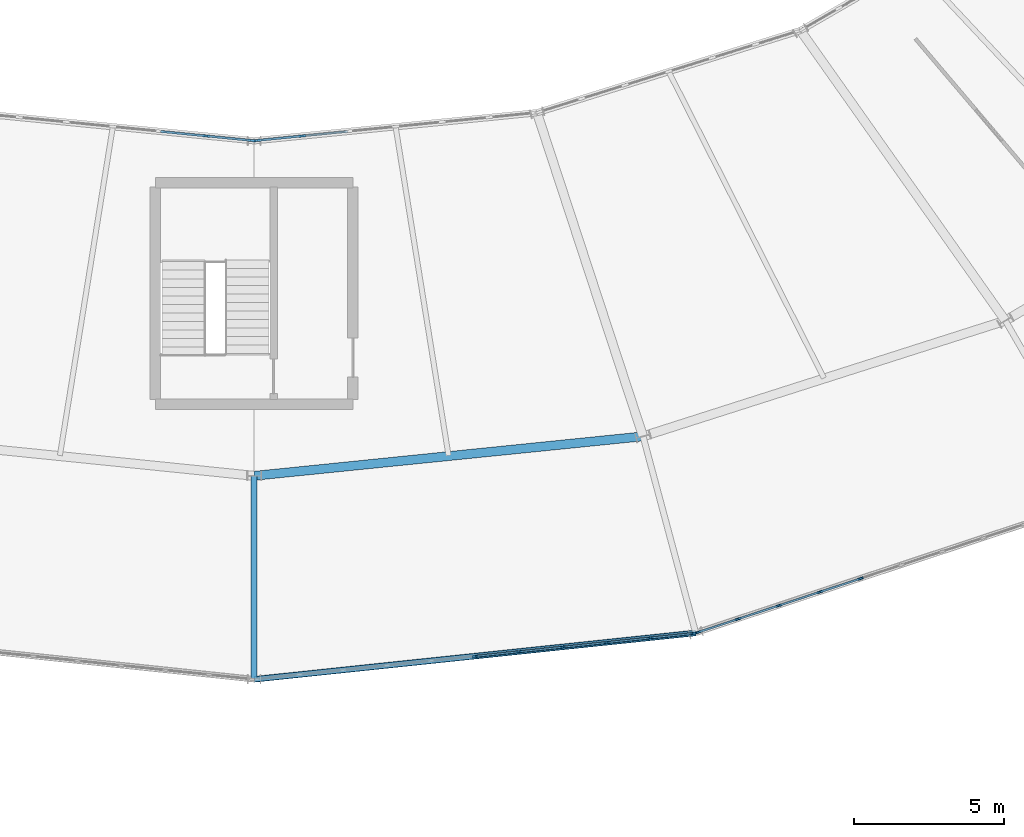
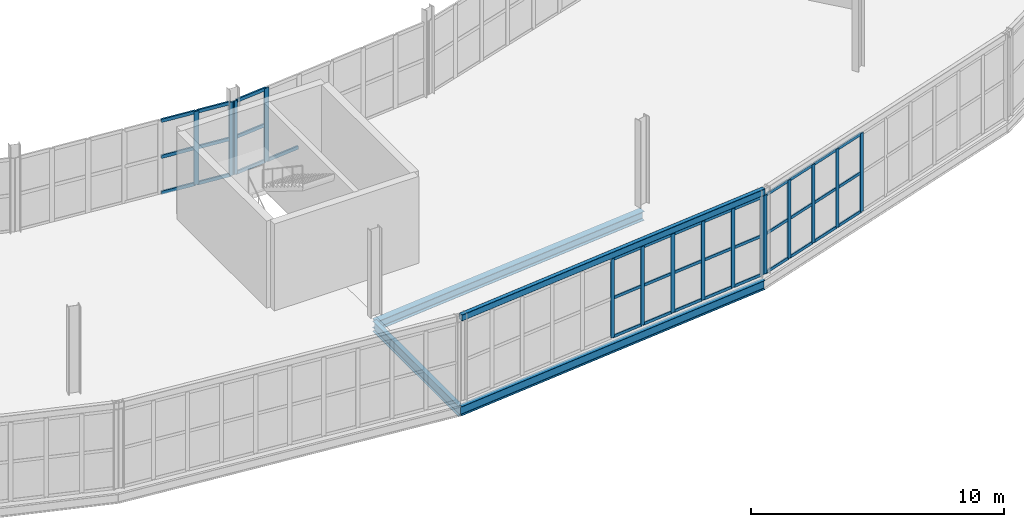
# One storey, part 45 of 161: 52 members, 4 beams, 4 elements without a shape of their own.
"""IFC4 building model written with IfcOpenShell, lengths in metres."""

from ifc_helpers import new_model, si_unit, direction, frame, origin, origin_2d, place, context, subcontext, project, spatial, rectangle, hollow_rectangle, i_section, extrude, material, material_profile, profile_set, type_object, element, aggregate, save


model = new_model("IFC4")

# Units and contexts
model_context = context("Model", 3, precision=1e-05, world=origin(), true_north=direction((0.0, 1.0)))
body_context = subcontext(model_context, "Body", "Model", "MODEL_VIEW")
ifc_project = project(units=[si_unit("LENGTHUNIT", "METRE"), si_unit("AREAUNIT", "SQUARE_METRE"), si_unit("VOLUMEUNIT", "CUBIC_METRE"), si_unit("PLANEANGLEUNIT", "RADIAN"), si_unit("MASSUNIT", "GRAM", prefix="KILO")], contexts=[model_context])

# Site, building, storey
site_placement = place(None, origin())
site = spatial("IfcSite", under=ifc_project, at=site_placement, CompositionType="ELEMENT")
building_placement = place(site_placement, origin())
building = spatial("IfcBuilding", under=site, at=building_placement, Name="Kildeholm Park Wholesale Market", CompositionType="ELEMENT")
storey_placement = place(building_placement, frame((0.0, 0.0, 5.39990234375)))
storey = spatial("IfcBuildingStorey", under=building, at=storey_placement, Name="L01", CompositionType="ELEMENT", Elevation=5.39990234375)

# Beams
ifc_material_1 = material(Name="Steel S355", Category="steel")
ifc_material_profile_1 = material_profile(ifc_material_1, i_section(OverallWidth=0.18994140625, OverallDepth=0.449951171875, WebThickness=0.009521484375, FlangeThickness=0.0146484375, FilletRadius=0.02099609375, at=origin_2d()), Name="IPE 450")
ifc_profile_set_1 = profile_set([ifc_material_profile_1], Name="Steel S355")
beam_type_1 = type_object("IfcBeamType", Name="Beam B-P02 IPE 450", PredefinedType="BEAM", material=ifc_profile_set_1)
beam_1_placement = place(storey_placement, frame((99.0, 44.0, -0.474853515625), z_axis=(0.99452572496, 0.104492020715, 0.0), x_axis=(-0.104492020715, 0.99452572496, 0.0)))
element("IfcBeam", 1, at=beam_1_placement, inside=storey, type_object=beam_type_1, Name="Beam BM-V1-L01-CO-18 BM-0167", PredefinedType="BEAM", context=body_context, shape_type="SweptSolid", body=[
    extrude(i_section(OverallWidth=0.18994140625, OverallDepth=0.449951171875, WebThickness=0.009521484375, FlangeThickness=0.0146484375, FilletRadius=0.02099609375, at=origin_2d()), origin(), (0.0, 0.0, 1.0), 14.834228515625),
])
ifc_material_profile_2 = material_profile(ifc_material_1, i_section(OverallWidth=0.199951171875, OverallDepth=0.5, WebThickness=0.01025390625, FlangeThickness=0.01611328125, FilletRadius=0.02099609375, at=origin_2d()), Name="IPE 500")
ifc_profile_set_2 = profile_set([ifc_material_profile_2], Name="Steel S355")
beam_type_2 = type_object("IfcBeamType", Name="Beam B-P03 IPE 500", PredefinedType="BEAM", material=ifc_profile_set_2)
beam_2_placement = place(storey_placement, frame((99.0, 50.800048828125, -0.5), z_axis=(0.0, -1.0, 0.0), x_axis=(1.0, 0.0, 0.0)))
element("IfcBeam", 2, at=beam_2_placement, inside=storey, type_object=beam_type_2, Name="Beam BM-V1-L01-R2-18 BM-0164", PredefinedType="BEAM", context=body_context, shape_type="SweptSolid", body=[
    extrude(i_section(OverallWidth=0.199951171875, OverallDepth=0.5, WebThickness=0.01025390625, FlangeThickness=0.01611328125, FilletRadius=0.02099609375, at=origin_2d()), origin(), (0.0, 0.0, 1.0), 6.800048828125),
])
ifc_material_profile_3 = material_profile(ifc_material_1, i_section(OverallWidth=0.300048828125, OverallDepth=0.43994140625, WebThickness=0.011474609375, FlangeThickness=0.02099609375, FilletRadius=0.027099609375, at=origin_2d()), Name="HEA 450")
ifc_profile_set_3 = profile_set([ifc_material_profile_3], Name="Steel S355")
beam_type_3 = type_object("IfcBeamType", Name="Beam B-R02 HEA 450", PredefinedType="BEAM", material=ifc_profile_set_3)
beam_3_placement = place(storey_placement, frame((99.0, 50.800048828125, -0.469970703125), z_axis=(0.994887827563, 0.100986189979, 0.0), x_axis=(-0.100986189979, 0.994887827563, 0.0)))
element("IfcBeam", 3, at=beam_3_placement, inside=storey, type_object=beam_type_3, Name="Beam BM-V1-L01-CM-18 BM-0166", PredefinedType="BEAM", context=body_context, shape_type="SweptSolid", body=[
    extrude(i_section(OverallWidth=0.300048828125, OverallDepth=0.43994140625, WebThickness=0.011474609375, FlangeThickness=0.02099609375, FilletRadius=0.027099609375, at=origin_2d()), origin(), (0.0, 0.0, 1.0), 13.0595703125),
])
ifc_material_profile_4 = material_profile(ifc_material_1, hollow_rectangle(XDim=0.199951171875, YDim=0.300048828125, WallThickness=0.012451171875, InnerFilletRadius=0.012451171875, OuterFilletRadius=0.02490234375, at=origin_2d()), Name="RHS 300x200x12.5")
ifc_profile_set_4 = profile_set([ifc_material_profile_4], Name="Steel S355")
beam_type_4 = type_object("IfcBeamType", Name="Beam SP-01 RHS 300x200x12.5", PredefinedType="SPANDREL", material=ifc_profile_set_4)
beam_4_placement = place(storey_placement, frame((99.0, 44.0, 4.02294921875), z_axis=(0.99452572496, 0.104492020715, 0.0), x_axis=(-0.104492020715, 0.99452572496, 0.0)))
element("IfcBeam", 4, at=beam_4_placement, inside=storey, type_object=beam_type_4, Name="Beam SP-V1-EAV-18 BM-0328", PredefinedType="SPANDREL", context=body_context, shape_type="SweptSolid", body=[
    extrude(hollow_rectangle(XDim=0.199951171875, YDim=0.300048828125, WallThickness=0.012451171875, InnerFilletRadius=0.012451171875, OuterFilletRadius=0.02490234375, at=origin_2d()), origin(), (0.0, 0.0, 1.0), 14.834228515625),
])

# Curtain wall, members
ifc_material_2 = material(Name="Anodised aluminium and low-E double-glazed glass", Category="aluminium")
curtain_wall_type = type_object("IfcCurtainWallType", Name="Market hall glazed arcade stick curtain wall CW-01", PredefinedType="NOTDEFINED", material=ifc_material_2)
curtain_wall_1_placement = place(storey_placement, origin())
curtain_wall_1 = element("IfcCurtainWall", 5, at=curtain_wall_1_placement, inside=storey, type_object=curtain_wall_type, Name="Curtain wall CW-V1-OT-18-1 CW-0089", PredefinedType="NOTDEFINED")
ifc_material_3 = material(Name="Anodised aluminium", Category="aluminium")
ifc_material_profile_5 = material_profile(ifc_material_3, rectangle(XDim=0.06494140625, YDim=0.179931640625, at=origin_2d()), Name="CWM 65x180")
ifc_profile_set_5 = profile_set([ifc_material_profile_5], Name="Anodised aluminium")
member_type_1 = type_object("IfcMemberType", Name="Curtain-wall mullion CWM-1 CWM 65x180", PredefinedType="MULLION", material=ifc_profile_set_5)
member_1_placement = place(storey_placement, frame((106.376953125, 44.77099609375, 0.0), z_axis=(0.0, 0.0, 1.0), x_axis=(-0.104508383308, 0.994524005652, 0.0)))
member_1 = element("IfcMember", 6, at=member_1_placement, type_object=member_type_1, Name="CW-01 mullion 6 MEM-2827", PredefinedType="MULLION", context=body_context, shape_type="SweptSolid", body=[
    extrude(rectangle(XDim=0.06494140625, YDim=0.179931640625, at=origin_2d()), origin(), (0.0, 0.0, 1.0), 3.800048828125),
])
member_2_placement = place(storey_placement, frame((107.844482421875, 44.92529296875, 0.0), z_axis=(0.0, 0.0, 1.0), x_axis=(-0.104508383308, 0.994524005652, 0.0)))
member_2 = element("IfcMember", 7, at=member_2_placement, type_object=member_type_1, Name="CW-01 mullion 7 MEM-2828", PredefinedType="MULLION", context=body_context, shape_type="SweptSolid", body=[
    extrude(rectangle(XDim=0.06494140625, YDim=0.179931640625, at=origin_2d()), origin(), (0.0, 0.0, 1.0), 3.800048828125),
])
member_3_placement = place(storey_placement, frame((109.311767578125, 45.079345703125, 0.0), z_axis=(0.0, 0.0, 1.0), x_axis=(-0.104508383308, 0.994524005652, 0.0)))
member_3 = element("IfcMember", 8, at=member_3_placement, type_object=member_type_1, Name="CW-01 mullion 8 MEM-2829", PredefinedType="MULLION", context=body_context, shape_type="SweptSolid", body=[
    extrude(rectangle(XDim=0.06494140625, YDim=0.179931640625, at=origin_2d()), origin(), (0.0, 0.0, 1.0), 3.800048828125),
])
member_4_placement = place(storey_placement, frame((110.779296875, 45.233642578125, 0.0), z_axis=(0.0, 0.0, 1.0), x_axis=(-0.104508383308, 0.994524005652, 0.0)))
member_4 = element("IfcMember", 9, at=member_4_placement, type_object=member_type_1, Name="CW-01 mullion 9 MEM-2830", PredefinedType="MULLION", context=body_context, shape_type="SweptSolid", body=[
    extrude(rectangle(XDim=0.06494140625, YDim=0.179931640625, at=origin_2d()), origin(), (0.0, 0.0, 1.0), 3.800048828125),
])
member_5_placement = place(storey_placement, frame((112.24658203125, 45.3876953125, 0.0), z_axis=(0.0, 0.0, 1.0), x_axis=(-0.104508383308, 0.994524005652, 0.0)))
member_5 = element("IfcMember", 10, at=member_5_placement, type_object=member_type_1, Name="CW-01 mullion 10 MEM-2831", PredefinedType="MULLION", context=body_context, shape_type="SweptSolid", body=[
    extrude(rectangle(XDim=0.06494140625, YDim=0.179931640625, at=origin_2d()), origin(), (0.0, 0.0, 1.0), 3.800048828125),
])
member_6_placement = place(storey_placement, frame((113.681640625, 45.53857421875, 0.0), z_axis=(0.0, 0.0, 1.0), x_axis=(-0.104508383308, 0.994524005652, 0.0)))
member_6 = element("IfcMember", 11, at=member_6_placement, type_object=member_type_1, Name="CW-01 mullion 11 MEM-2832", PredefinedType="MULLION", context=body_context, shape_type="SweptSolid", body=[
    extrude(rectangle(XDim=0.06494140625, YDim=0.179931640625, at=origin_2d()), origin(), (0.0, 0.0, 1.0), 3.800048828125),
])

curtain_wall_2_placement = place(storey_placement, origin())
curtain_wall_2 = element("IfcCurtainWall", 12, at=curtain_wall_2_placement, inside=storey, type_object=curtain_wall_type, Name="Curtain wall CW-V1-OT-19-1 CW-0094", PredefinedType="NOTDEFINED")
member_7_placement = place(storey_placement, frame((113.823974609375, 45.569091796875, 0.0), z_axis=(0.0, 0.0, 1.0), x_axis=(-0.313914140335, 0.949451374478, 0.0)))
member_7 = element("IfcMember", 13, at=member_7_placement, type_object=member_type_1, Name="CW-01 mullion 1 MEM-2975", PredefinedType="MULLION", context=body_context, shape_type="SweptSolid", body=[
    extrude(rectangle(XDim=0.06494140625, YDim=0.179931640625, at=origin_2d()), origin(), (0.0, 0.0, 1.0), 3.800048828125),
])
member_8_placement = place(storey_placement, frame((115.16015625, 46.010986328125, 0.0), z_axis=(0.0, 0.0, 1.0), x_axis=(-0.313914140335, 0.949451374478, 0.0)))
member_8 = element("IfcMember", 14, at=member_8_placement, type_object=member_type_1, Name="CW-01 mullion 2 MEM-2976", PredefinedType="MULLION", context=body_context, shape_type="SweptSolid", body=[
    extrude(rectangle(XDim=0.06494140625, YDim=0.179931640625, at=origin_2d()), origin(), (0.0, 0.0, 1.0), 3.800048828125),
])
member_9_placement = place(storey_placement, frame((116.527099609375, 46.462890625, 0.0), z_axis=(0.0, 0.0, 1.0), x_axis=(-0.313914140335, 0.949451374478, 0.0)))
member_9 = element("IfcMember", 15, at=member_9_placement, type_object=member_type_1, Name="CW-01 mullion 3 MEM-2977", PredefinedType="MULLION", context=body_context, shape_type="SweptSolid", body=[
    extrude(rectangle(XDim=0.06494140625, YDim=0.179931640625, at=origin_2d()), origin(), (0.0, 0.0, 1.0), 3.800048828125),
])
member_10_placement = place(storey_placement, frame((117.894287109375, 46.9150390625, 0.0), z_axis=(0.0, 0.0, 1.0), x_axis=(-0.313914140335, 0.949451374478, 0.0)))
member_10 = element("IfcMember", 16, at=member_10_placement, type_object=member_type_1, Name="CW-01 mullion 4 MEM-2978", PredefinedType="MULLION", context=body_context, shape_type="SweptSolid", body=[
    extrude(rectangle(XDim=0.06494140625, YDim=0.179931640625, at=origin_2d()), origin(), (0.0, 0.0, 1.0), 3.800048828125),
])
member_11_placement = place(storey_placement, frame((119.261474609375, 47.366943359375, 0.0), z_axis=(0.0, 0.0, 1.0), x_axis=(-0.313914140335, 0.949451374478, 0.0)))
member_11 = element("IfcMember", 17, at=member_11_placement, type_object=member_type_1, Name="CW-01 mullion 5 MEM-2979", PredefinedType="MULLION", context=body_context, shape_type="SweptSolid", body=[
    extrude(rectangle(XDim=0.06494140625, YDim=0.179931640625, at=origin_2d()), origin(), (0.0, 0.0, 1.0), 3.800048828125),
])

curtain_wall_3_placement = place(storey_placement, origin())
curtain_wall_3 = element("IfcCurtainWall", 18, at=curtain_wall_3_placement, inside=storey, type_object=curtain_wall_type, Name="Curtain wall CW-V1-IN1-17 CW-0087", PredefinedType="NOTDEFINED")
ifc_material_profile_6 = material_profile(ifc_material_3, rectangle(XDim=0.074951171875, YDim=0.219970703125, at=origin_2d()), Name="CWM 75x220")
ifc_profile_set_6 = profile_set([ifc_material_profile_6], Name="Anodised aluminium")
member_type_2 = type_object("IfcMemberType", Name="Curtain-wall mullion CWM-2 CWM 75x220", PredefinedType="MULLION", material=ifc_profile_set_6)
member_12_placement = place(storey_placement, frame((97.398681640625, 62.15478515625, 0.0), z_axis=(0.0, 0.0, 1.0), x_axis=(0.098683331174, 0.995118887444, 0.0)))
member_12 = element("IfcMember", 19, at=member_12_placement, type_object=member_type_2, Name="CW-01 mullion 6 MEM-2777", PredefinedType="MULLION", context=body_context, shape_type="SweptSolid", body=[
    extrude(rectangle(XDim=0.074951171875, YDim=0.219970703125, at=origin_2d()), origin(), (0.0, 0.0, 1.0), 3.550048828125),
])
member_13_placement = place(storey_placement, frame((98.922607421875, 62.003662109375, 0.0), z_axis=(0.0, 0.0, 1.0), x_axis=(0.098683331174, 0.995118887444, 0.0)))
member_13 = element("IfcMember", 20, at=member_13_placement, type_object=member_type_2, Name="CW-01 mullion 7 MEM-2778", PredefinedType="MULLION", context=body_context, shape_type="SweptSolid", body=[
    extrude(rectangle(XDim=0.074951171875, YDim=0.219970703125, at=origin_2d()), origin(), (0.0, 0.0, 1.0), 3.550048828125),
])

curtain_wall_4_placement = place(storey_placement, origin())
curtain_wall_4 = element("IfcCurtainWall", 21, at=curtain_wall_4_placement, inside=storey, type_object=curtain_wall_type, Name="Curtain wall CW-V1-IN1-18 CW-0092", PredefinedType="NOTDEFINED")
member_14_placement = place(storey_placement, frame((99.077392578125, 62.003662109375, 0.0), z_axis=(0.0, 0.0, 1.0), x_axis=(-0.098683331174, 0.995118887444, 0.0)))
member_14 = element("IfcMember", 22, at=member_14_placement, type_object=member_type_2, Name="CW-01 mullion 1 MEM-2925", PredefinedType="MULLION", context=body_context, shape_type="SweptSolid", body=[
    extrude(rectangle(XDim=0.074951171875, YDim=0.219970703125, at=origin_2d()), origin(), (0.0, 0.0, 1.0), 3.550048828125),
])
member_15_placement = place(storey_placement, frame((100.601318359375, 62.15478515625, 0.0), z_axis=(0.0, 0.0, 1.0), x_axis=(-0.098683331174, 0.995118887444, 0.0)))
member_15 = element("IfcMember", 23, at=member_15_placement, type_object=member_type_2, Name="CW-01 mullion 2 MEM-2926", PredefinedType="MULLION", context=body_context, shape_type="SweptSolid", body=[
    extrude(rectangle(XDim=0.074951171875, YDim=0.219970703125, at=origin_2d()), origin(), (0.0, 0.0, 1.0), 3.550048828125),
])

# Member
ifc_material_profile_7 = material_profile(ifc_material_3, rectangle(XDim=0.06494140625, YDim=0.139892578125, at=origin_2d()), Name="CWT 65x140")
ifc_profile_set_7 = profile_set([ifc_material_profile_7], Name="Anodised aluminium")
member_type_3 = type_object("IfcMemberType", Name="Curtain-wall transom CWT-1 CWT 65x140", PredefinedType="USERDEFINED", material=ifc_profile_set_7)
member_16_placement = place(storey_placement, frame((106.409423828125, 44.7744140625, 0.03271484375), z_axis=(0.994518724615, 0.104558626574, 0.0), x_axis=(-0.104558626574, 0.994518724615, 0.0)))
member_16 = element("IfcMember", 24, at=member_16_placement, type_object=member_type_3, Name="CW-01 transom 6.1 MEM-2848", ObjectType="TRANSOM", PredefinedType="USERDEFINED", context=body_context, shape_type="SweptSolid", body=[
    extrude(rectangle(XDim=0.06494140625, YDim=0.139892578125, at=origin_2d()), origin(), (0.0, 0.0, 1.0), 1.410400390625),
])

member_17_placement = place(storey_placement, frame((106.409423828125, 44.7744140625, 1.900146484375), z_axis=(0.994518724615, 0.104558626574, 0.0), x_axis=(-0.104558626574, 0.994518724615, 0.0)))
member_17 = element("IfcMember", 25, at=member_17_placement, type_object=member_type_3, Name="CW-01 transom 6.2 MEM-2849", ObjectType="TRANSOM", PredefinedType="USERDEFINED", context=body_context, shape_type="SweptSolid", body=[
    extrude(rectangle(XDim=0.06494140625, YDim=0.139892578125, at=origin_2d()), origin(), (0.0, 0.0, 1.0), 1.410400390625),
])

member_18_placement = place(storey_placement, frame((106.409423828125, 44.7744140625, 3.767578125), z_axis=(0.994518724615, 0.104558626574, 0.0), x_axis=(-0.104558626574, 0.994518724615, 0.0)))
member_18 = element("IfcMember", 26, at=member_18_placement, type_object=member_type_3, Name="CW-01 transom 6.3 MEM-2850", ObjectType="TRANSOM", PredefinedType="USERDEFINED", context=body_context, shape_type="SweptSolid", body=[
    extrude(rectangle(XDim=0.06494140625, YDim=0.139892578125, at=origin_2d()), origin(), (0.0, 0.0, 1.0), 1.410400390625),
])

member_19_placement = place(storey_placement, frame((107.876708984375, 44.9287109375, 0.03271484375), z_axis=(0.994538597049, 0.104369435089, 0.0), x_axis=(-0.104369435089, 0.994538597049, 0.0)))
member_19 = element("IfcMember", 27, at=member_19_placement, type_object=member_type_3, Name="CW-01 transom 7.1 MEM-2851", ObjectType="TRANSOM", PredefinedType="USERDEFINED", context=body_context, shape_type="SweptSolid", body=[
    extrude(rectangle(XDim=0.06494140625, YDim=0.139892578125, at=origin_2d()), origin(), (0.0, 0.0, 1.0), 1.41064453125),
])

member_20_placement = place(storey_placement, frame((107.876708984375, 44.9287109375, 1.900146484375), z_axis=(0.994538597049, 0.104369435089, 0.0), x_axis=(-0.104369435089, 0.994538597049, 0.0)))
member_20 = element("IfcMember", 28, at=member_20_placement, type_object=member_type_3, Name="CW-01 transom 7.2 MEM-2852", ObjectType="TRANSOM", PredefinedType="USERDEFINED", context=body_context, shape_type="SweptSolid", body=[
    extrude(rectangle(XDim=0.06494140625, YDim=0.139892578125, at=origin_2d()), origin(), (0.0, 0.0, 1.0), 1.41064453125),
])

member_21_placement = place(storey_placement, frame((107.876708984375, 44.9287109375, 3.767578125), z_axis=(0.994538597049, 0.104369435089, 0.0), x_axis=(-0.104369435089, 0.994538597049, 0.0)))
member_21 = element("IfcMember", 29, at=member_21_placement, type_object=member_type_3, Name="CW-01 transom 7.3 MEM-2853", ObjectType="TRANSOM", PredefinedType="USERDEFINED", context=body_context, shape_type="SweptSolid", body=[
    extrude(rectangle(XDim=0.06494140625, YDim=0.139892578125, at=origin_2d()), origin(), (0.0, 0.0, 1.0), 1.41064453125),
])

member_22_placement = place(storey_placement, frame((109.34423828125, 45.082763671875, 0.03271484375), z_axis=(0.994518724615, 0.104558626574, 0.0), x_axis=(-0.104558626574, 0.994518724615, 0.0)))
member_22 = element("IfcMember", 30, at=member_22_placement, type_object=member_type_3, Name="CW-01 transom 8.1 MEM-2854", ObjectType="TRANSOM", PredefinedType="USERDEFINED", context=body_context, shape_type="SweptSolid", body=[
    extrude(rectangle(XDim=0.06494140625, YDim=0.139892578125, at=origin_2d()), origin(), (0.0, 0.0, 1.0), 1.410400390625),
])

member_23_placement = place(storey_placement, frame((109.34423828125, 45.082763671875, 1.900146484375), z_axis=(0.994518724615, 0.104558626574, 0.0), x_axis=(-0.104558626574, 0.994518724615, 0.0)))
member_23 = element("IfcMember", 31, at=member_23_placement, type_object=member_type_3, Name="CW-01 transom 8.2 MEM-2855", ObjectType="TRANSOM", PredefinedType="USERDEFINED", context=body_context, shape_type="SweptSolid", body=[
    extrude(rectangle(XDim=0.06494140625, YDim=0.139892578125, at=origin_2d()), origin(), (0.0, 0.0, 1.0), 1.410400390625),
])

member_24_placement = place(storey_placement, frame((109.34423828125, 45.082763671875, 3.767578125), z_axis=(0.994518724615, 0.104558626574, 0.0), x_axis=(-0.104558626574, 0.994518724615, 0.0)))
member_24 = element("IfcMember", 32, at=member_24_placement, type_object=member_type_3, Name="CW-01 transom 8.3 MEM-2856", ObjectType="TRANSOM", PredefinedType="USERDEFINED", context=body_context, shape_type="SweptSolid", body=[
    extrude(rectangle(XDim=0.06494140625, YDim=0.139892578125, at=origin_2d()), origin(), (0.0, 0.0, 1.0), 1.410400390625),
])

member_25_placement = place(storey_placement, frame((110.8115234375, 45.237060546875, 0.03271484375), z_axis=(0.994520616656, 0.104540628691, 0.0), x_axis=(-0.104540628691, 0.994520616656, 0.0)))
member_25 = element("IfcMember", 33, at=member_25_placement, type_object=member_type_3, Name="CW-01 transom 9.1 MEM-2857", ObjectType="TRANSOM", PredefinedType="USERDEFINED", context=body_context, shape_type="SweptSolid", body=[
    extrude(rectangle(XDim=0.06494140625, YDim=0.139892578125, at=origin_2d()), origin(), (0.0, 0.0, 1.0), 1.41064453125),
])

member_26_placement = place(storey_placement, frame((110.8115234375, 45.237060546875, 1.900146484375), z_axis=(0.994520616656, 0.104540628691, 0.0), x_axis=(-0.104540628691, 0.994520616656, 0.0)))
member_26 = element("IfcMember", 34, at=member_26_placement, type_object=member_type_3, Name="CW-01 transom 9.2 MEM-2858", ObjectType="TRANSOM", PredefinedType="USERDEFINED", context=body_context, shape_type="SweptSolid", body=[
    extrude(rectangle(XDim=0.06494140625, YDim=0.139892578125, at=origin_2d()), origin(), (0.0, 0.0, 1.0), 1.41064453125),
])

member_27_placement = place(storey_placement, frame((110.8115234375, 45.237060546875, 3.767578125), z_axis=(0.994520616656, 0.104540628691, 0.0), x_axis=(-0.104540628691, 0.994520616656, 0.0)))
member_27 = element("IfcMember", 35, at=member_27_placement, type_object=member_type_3, Name="CW-01 transom 9.3 MEM-2859", ObjectType="TRANSOM", PredefinedType="USERDEFINED", context=body_context, shape_type="SweptSolid", body=[
    extrude(rectangle(XDim=0.06494140625, YDim=0.139892578125, at=origin_2d()), origin(), (0.0, 0.0, 1.0), 1.41064453125),
])

member_28_placement = place(storey_placement, frame((112.27880859375, 45.39111328125, 0.03271484375), z_axis=(0.994522911448, 0.104518795467, 0.0), x_axis=(-0.104518795467, 0.994522911448, 0.0)))
member_28 = element("IfcMember", 36, at=member_28_placement, type_object=member_type_3, Name="CW-01 transom 10.1 MEM-2860", ObjectType="TRANSOM", PredefinedType="USERDEFINED", context=body_context, shape_type="SweptSolid", body=[
    extrude(rectangle(XDim=0.06494140625, YDim=0.139892578125, at=origin_2d()), origin(), (0.0, 0.0, 1.0), 1.378173828125),
])

member_29_placement = place(storey_placement, frame((112.27880859375, 45.39111328125, 1.900146484375), z_axis=(0.994522911448, 0.104518795467, 0.0), x_axis=(-0.104518795467, 0.994522911448, 0.0)))
member_29 = element("IfcMember", 37, at=member_29_placement, type_object=member_type_3, Name="CW-01 transom 10.2 MEM-2861", ObjectType="TRANSOM", PredefinedType="USERDEFINED", context=body_context, shape_type="SweptSolid", body=[
    extrude(rectangle(XDim=0.06494140625, YDim=0.139892578125, at=origin_2d()), origin(), (0.0, 0.0, 1.0), 1.378173828125),
])

member_30_placement = place(storey_placement, frame((112.27880859375, 45.39111328125, 3.767578125), z_axis=(0.994522911448, 0.104518795467, 0.0), x_axis=(-0.104518795467, 0.994522911448, 0.0)))
member_30 = element("IfcMember", 38, at=member_30_placement, type_object=member_type_3, Name="CW-01 transom 10.3 MEM-2862", ObjectType="TRANSOM", PredefinedType="USERDEFINED", context=body_context, shape_type="SweptSolid", body=[
    extrude(rectangle(XDim=0.06494140625, YDim=0.139892578125, at=origin_2d()), origin(), (0.0, 0.0, 1.0), 1.378173828125),
])

aggregate(curtain_wall_1, [member_1, member_2, member_3, member_4, member_5, member_6, member_16, member_17, member_18, member_19, member_20, member_21, member_22, member_23, member_24, member_25, member_26, member_27, member_28, member_29, member_30])

member_31_placement = place(storey_placement, frame((113.854736328125, 45.579345703125, 0.03271484375), z_axis=(0.94944445073, 0.313935080835, 0.0), x_axis=(-0.313935080835, 0.94944445073, 0.0)))
member_31 = element("IfcMember", 39, at=member_31_placement, type_object=member_type_3, Name="CW-01 transom 1.1 MEM-2986", ObjectType="TRANSOM", PredefinedType="USERDEFINED", context=body_context, shape_type="SweptSolid", body=[
    extrude(rectangle(XDim=0.06494140625, YDim=0.139892578125, at=origin_2d()), origin(), (0.0, 0.0, 1.0), 1.34228515625),
])

member_32_placement = place(storey_placement, frame((113.854736328125, 45.579345703125, 1.900146484375), z_axis=(0.94944445073, 0.313935080835, 0.0), x_axis=(-0.313935080835, 0.94944445073, 0.0)))
member_32 = element("IfcMember", 40, at=member_32_placement, type_object=member_type_3, Name="CW-01 transom 1.2 MEM-2987", ObjectType="TRANSOM", PredefinedType="USERDEFINED", context=body_context, shape_type="SweptSolid", body=[
    extrude(rectangle(XDim=0.06494140625, YDim=0.139892578125, at=origin_2d()), origin(), (0.0, 0.0, 1.0), 1.34228515625),
])

member_33_placement = place(storey_placement, frame((113.854736328125, 45.579345703125, 3.767578125), z_axis=(0.94944445073, 0.313935080835, 0.0), x_axis=(-0.313935080835, 0.94944445073, 0.0)))
member_33 = element("IfcMember", 41, at=member_33_placement, type_object=member_type_3, Name="CW-01 transom 1.3 MEM-2988", ObjectType="TRANSOM", PredefinedType="USERDEFINED", context=body_context, shape_type="SweptSolid", body=[
    extrude(rectangle(XDim=0.06494140625, YDim=0.139892578125, at=origin_2d()), origin(), (0.0, 0.0, 1.0), 1.34228515625),
])

member_34_placement = place(storey_placement, frame((115.19091796875, 46.021240234375, 0.03271484375), z_axis=(0.949444065444, 0.313936246064, 0.0), x_axis=(-0.313936246064, 0.949444065444, 0.0)))
member_34 = element("IfcMember", 42, at=member_34_placement, type_object=member_type_3, Name="CW-01 transom 2.1 MEM-2989", ObjectType="TRANSOM", PredefinedType="USERDEFINED", context=body_context, shape_type="SweptSolid", body=[
    extrude(rectangle(XDim=0.06494140625, YDim=0.139892578125, at=origin_2d()), origin(), (0.0, 0.0, 1.0), 1.375),
])

member_35_placement = place(storey_placement, frame((115.19091796875, 46.021240234375, 1.900146484375), z_axis=(0.949444065444, 0.313936246064, 0.0), x_axis=(-0.313936246064, 0.949444065444, 0.0)))
member_35 = element("IfcMember", 43, at=member_35_placement, type_object=member_type_3, Name="CW-01 transom 2.2 MEM-2990", ObjectType="TRANSOM", PredefinedType="USERDEFINED", context=body_context, shape_type="SweptSolid", body=[
    extrude(rectangle(XDim=0.06494140625, YDim=0.139892578125, at=origin_2d()), origin(), (0.0, 0.0, 1.0), 1.375),
])

member_36_placement = place(storey_placement, frame((115.19091796875, 46.021240234375, 3.767578125), z_axis=(0.949444065444, 0.313936246064, 0.0), x_axis=(-0.313936246064, 0.949444065444, 0.0)))
member_36 = element("IfcMember", 44, at=member_36_placement, type_object=member_type_3, Name="CW-01 transom 2.3 MEM-2991", ObjectType="TRANSOM", PredefinedType="USERDEFINED", context=body_context, shape_type="SweptSolid", body=[
    extrude(rectangle(XDim=0.06494140625, YDim=0.139892578125, at=origin_2d()), origin(), (0.0, 0.0, 1.0), 1.375),
])

member_37_placement = place(storey_placement, frame((116.55810546875, 46.47314453125, 0.03271484375), z_axis=(0.949444065444, 0.313936246064, 0.0), x_axis=(-0.313936246064, 0.949444065444, 0.0)))
member_37 = element("IfcMember", 45, at=member_37_placement, type_object=member_type_3, Name="CW-01 transom 3.1 MEM-2992", ObjectType="TRANSOM", PredefinedType="USERDEFINED", context=body_context, shape_type="SweptSolid", body=[
    extrude(rectangle(XDim=0.06494140625, YDim=0.139892578125, at=origin_2d()), origin(), (0.0, 0.0, 1.0), 1.375),
])

member_38_placement = place(storey_placement, frame((116.55810546875, 46.47314453125, 1.900146484375), z_axis=(0.949444065444, 0.313936246064, 0.0), x_axis=(-0.313936246064, 0.949444065444, 0.0)))
member_38 = element("IfcMember", 46, at=member_38_placement, type_object=member_type_3, Name="CW-01 transom 3.2 MEM-2993", ObjectType="TRANSOM", PredefinedType="USERDEFINED", context=body_context, shape_type="SweptSolid", body=[
    extrude(rectangle(XDim=0.06494140625, YDim=0.139892578125, at=origin_2d()), origin(), (0.0, 0.0, 1.0), 1.375),
])

member_39_placement = place(storey_placement, frame((116.55810546875, 46.47314453125, 3.767578125), z_axis=(0.949444065444, 0.313936246064, 0.0), x_axis=(-0.313936246064, 0.949444065444, 0.0)))
member_39 = element("IfcMember", 47, at=member_39_placement, type_object=member_type_3, Name="CW-01 transom 3.3 MEM-2994", ObjectType="TRANSOM", PredefinedType="USERDEFINED", context=body_context, shape_type="SweptSolid", body=[
    extrude(rectangle(XDim=0.06494140625, YDim=0.139892578125, at=origin_2d()), origin(), (0.0, 0.0, 1.0), 1.375),
])

member_40_placement = place(storey_placement, frame((117.925048828125, 46.92529296875, 0.03271484375), z_axis=(0.949496981018, 0.313776167095, 0.0), x_axis=(-0.313776167095, 0.949496981018, 0.0)))
member_40 = element("IfcMember", 48, at=member_40_placement, type_object=member_type_3, Name="CW-01 transom 4.1 MEM-2995", ObjectType="TRANSOM", PredefinedType="USERDEFINED", context=body_context, shape_type="SweptSolid", body=[
    extrude(rectangle(XDim=0.06494140625, YDim=0.139892578125, at=origin_2d()), origin(), (0.0, 0.0, 1.0), 1.374755859375),
])

member_41_placement = place(storey_placement, frame((117.925048828125, 46.92529296875, 1.900146484375), z_axis=(0.949496981018, 0.313776167095, 0.0), x_axis=(-0.313776167095, 0.949496981018, 0.0)))
member_41 = element("IfcMember", 49, at=member_41_placement, type_object=member_type_3, Name="CW-01 transom 4.2 MEM-2996", ObjectType="TRANSOM", PredefinedType="USERDEFINED", context=body_context, shape_type="SweptSolid", body=[
    extrude(rectangle(XDim=0.06494140625, YDim=0.139892578125, at=origin_2d()), origin(), (0.0, 0.0, 1.0), 1.374755859375),
])

member_42_placement = place(storey_placement, frame((117.925048828125, 46.92529296875, 3.767578125), z_axis=(0.949496981018, 0.313776167095, 0.0), x_axis=(-0.313776167095, 0.949496981018, 0.0)))
member_42 = element("IfcMember", 50, at=member_42_placement, type_object=member_type_3, Name="CW-01 transom 4.3 MEM-2997", ObjectType="TRANSOM", PredefinedType="USERDEFINED", context=body_context, shape_type="SweptSolid", body=[
    extrude(rectangle(XDim=0.06494140625, YDim=0.139892578125, at=origin_2d()), origin(), (0.0, 0.0, 1.0), 1.374755859375),
])

aggregate(curtain_wall_2, [member_7, member_8, member_9, member_10, member_11, member_31, member_32, member_33, member_34, member_35, member_36, member_37, member_38, member_39, member_40, member_41, member_42])

ifc_material_profile_8 = material_profile(ifc_material_3, rectangle(XDim=0.074951171875, YDim=0.159912109375, at=origin_2d()), Name="CWT 75x160")
ifc_profile_set_8 = profile_set([ifc_material_profile_8], Name="Anodised aluminium")
member_type_4 = type_object("IfcMemberType", Name="Curtain-wall transom CWT-2 CWT 75x160", PredefinedType="USERDEFINED", material=ifc_profile_set_8)
member_43_placement = place(storey_placement, frame((95.874755859375, 62.305908203125, 0.03759765625), z_axis=(0.995116161416, -0.098710816472, 0.0), x_axis=(0.098710816472, 0.995116161416, 0.0)))
member_43 = element("IfcMember", 51, at=member_43_placement, type_object=member_type_4, Name="CW-01 transom 5.1 MEM-2791", ObjectType="TRANSOM", PredefinedType="USERDEFINED", context=body_context, shape_type="SweptSolid", body=[
    extrude(rectangle(XDim=0.074951171875, YDim=0.159912109375, at=origin_2d()), origin(), (0.0, 0.0, 1.0), 1.493896484375),
])

member_44_placement = place(storey_placement, frame((95.874755859375, 62.305908203125, 1.775146484375), z_axis=(0.995116161416, -0.098710816472, 0.0), x_axis=(0.098710816472, 0.995116161416, 0.0)))
member_44 = element("IfcMember", 52, at=member_44_placement, type_object=member_type_4, Name="CW-01 transom 5.2 MEM-2792", ObjectType="TRANSOM", PredefinedType="USERDEFINED", context=body_context, shape_type="SweptSolid", body=[
    extrude(rectangle(XDim=0.074951171875, YDim=0.159912109375, at=origin_2d()), origin(), (0.0, 0.0, 1.0), 1.493896484375),
])

member_45_placement = place(storey_placement, frame((95.874755859375, 62.305908203125, 3.5126953125), z_axis=(0.995116161416, -0.098710816472, 0.0), x_axis=(0.098710816472, 0.995116161416, 0.0)))
member_45 = element("IfcMember", 53, at=member_45_placement, type_object=member_type_4, Name="CW-01 transom 5.3 MEM-2793", ObjectType="TRANSOM", PredefinedType="USERDEFINED", context=body_context, shape_type="SweptSolid", body=[
    extrude(rectangle(XDim=0.074951171875, YDim=0.159912109375, at=origin_2d()), origin(), (0.0, 0.0, 1.0), 1.493896484375),
])

member_46_placement = place(storey_placement, frame((97.43603515625, 62.151123046875, 0.03759765625), z_axis=(0.995113248343, -0.098740179123, 0.0), x_axis=(0.098740179123, 0.995113248343, 0.0)))
member_46 = element("IfcMember", 54, at=member_46_placement, type_object=member_type_4, Name="CW-01 transom 6.1 MEM-2794", ObjectType="TRANSOM", PredefinedType="USERDEFINED", context=body_context, shape_type="SweptSolid", body=[
    extrude(rectangle(XDim=0.074951171875, YDim=0.159912109375, at=origin_2d()), origin(), (0.0, 0.0, 1.0), 1.456298828125),
])

member_47_placement = place(storey_placement, frame((97.43603515625, 62.151123046875, 1.775146484375), z_axis=(0.995113248343, -0.098740179123, 0.0), x_axis=(0.098740179123, 0.995113248343, 0.0)))
member_47 = element("IfcMember", 55, at=member_47_placement, type_object=member_type_4, Name="CW-01 transom 6.2 MEM-2795", ObjectType="TRANSOM", PredefinedType="USERDEFINED", context=body_context, shape_type="SweptSolid", body=[
    extrude(rectangle(XDim=0.074951171875, YDim=0.159912109375, at=origin_2d()), origin(), (0.0, 0.0, 1.0), 1.456298828125),
])

member_48_placement = place(storey_placement, frame((97.43603515625, 62.151123046875, 3.5126953125), z_axis=(0.995113248343, -0.098740179123, 0.0), x_axis=(0.098740179123, 0.995113248343, 0.0)))
member_48 = element("IfcMember", 56, at=member_48_placement, type_object=member_type_4, Name="CW-01 transom 6.3 MEM-2796", ObjectType="TRANSOM", PredefinedType="USERDEFINED", context=body_context, shape_type="SweptSolid", body=[
    extrude(rectangle(XDim=0.074951171875, YDim=0.159912109375, at=origin_2d()), origin(), (0.0, 0.0, 1.0), 1.456298828125),
])

aggregate(curtain_wall_3, [member_12, member_13, member_43, member_44, member_45, member_46, member_47, member_48])

member_49_placement = place(storey_placement, frame((99.11474609375, 62.00732421875, 0.03759765625), z_axis=(0.995113248343, 0.098740179123, 0.0), x_axis=(-0.098740179123, 0.995113248343, 0.0)))
member_49 = element("IfcMember", 57, at=member_49_placement, type_object=member_type_4, Name="CW-01 transom 1.1 MEM-2932", ObjectType="TRANSOM", PredefinedType="USERDEFINED", context=body_context, shape_type="SweptSolid", body=[
    extrude(rectangle(XDim=0.074951171875, YDim=0.159912109375, at=origin_2d()), origin(), (0.0, 0.0, 1.0), 1.456298828125),
])

member_50_placement = place(storey_placement, frame((99.11474609375, 62.00732421875, 1.775146484375), z_axis=(0.995113248343, 0.098740179123, 0.0), x_axis=(-0.098740179123, 0.995113248343, 0.0)))
member_50 = element("IfcMember", 58, at=member_50_placement, type_object=member_type_4, Name="CW-01 transom 1.2 MEM-2933", ObjectType="TRANSOM", PredefinedType="USERDEFINED", context=body_context, shape_type="SweptSolid", body=[
    extrude(rectangle(XDim=0.074951171875, YDim=0.159912109375, at=origin_2d()), origin(), (0.0, 0.0, 1.0), 1.456298828125),
])

member_51_placement = place(storey_placement, frame((99.11474609375, 62.00732421875, 3.5126953125), z_axis=(0.995113248343, 0.098740179123, 0.0), x_axis=(-0.098740179123, 0.995113248343, 0.0)))
member_51 = element("IfcMember", 59, at=member_51_placement, type_object=member_type_4, Name="CW-01 transom 1.3 MEM-2934", ObjectType="TRANSOM", PredefinedType="USERDEFINED", context=body_context, shape_type="SweptSolid", body=[
    extrude(rectangle(XDim=0.074951171875, YDim=0.159912109375, at=origin_2d()), origin(), (0.0, 0.0, 1.0), 1.456298828125),
])

member_52_placement = place(storey_placement, frame((100.638671875, 62.158447265625, 0.03759765625), z_axis=(0.995116161416, 0.098710816472, 0.0), x_axis=(-0.098710816472, 0.995116161416, 0.0)))
member_52 = element("IfcMember", 60, at=member_52_placement, type_object=member_type_4, Name="CW-01 transom 2.1 MEM-2935", ObjectType="TRANSOM", PredefinedType="USERDEFINED", context=body_context, shape_type="SweptSolid", body=[
    extrude(rectangle(XDim=0.074951171875, YDim=0.159912109375, at=origin_2d()), origin(), (0.0, 0.0, 1.0), 1.493896484375),
])

aggregate(curtain_wall_4, [member_14, member_15, member_49, member_50, member_51, member_52])

save(model, "model.ifc")
